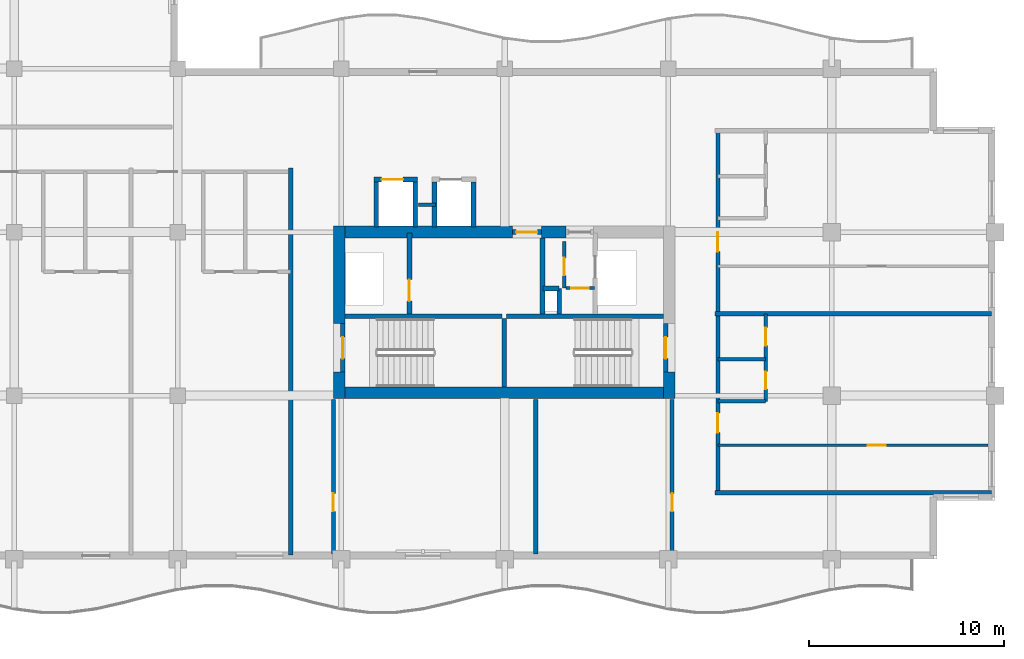
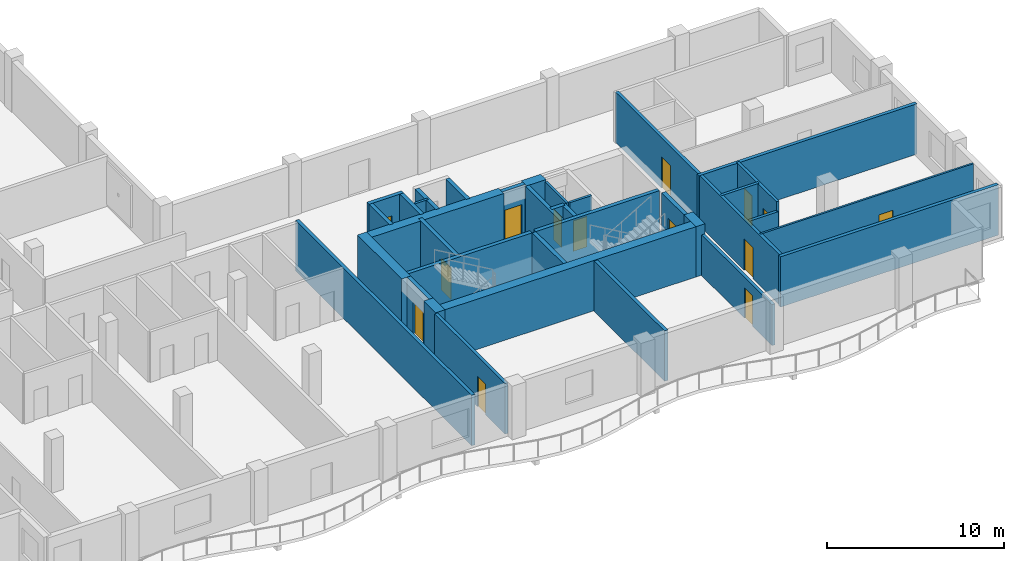
# One storey, part 4 of 12: 35 walls, 14 doors, 14 openings.
"""IFC4 building model written with IfcOpenShell, lengths in metres."""

import ifcopenshell
import ifcopenshell.guid

model = None  # the IFC model being written
_history = None  # IfcOwnerHistory: only IFC2X3 demands one
_inside = {}  # id of a spatial element -> (the spatial element, [elements in it])
_under = {}  # id of a project, library or spatial element -> (it, [spatial elements below it])
_declared = {}  # id of a project -> (the project, [libraries it declares])
_typed = {}  # id of a type object -> (the type object, [elements of that type])
_made_of = {}  # id of a material, layer set ... -> (it, [elements and type objects made of it])


def new_model(schema):
    """Start an empty IFC model of exactly this schema.

    Asked for "IFC4X3", IfcOpenShell would pick the latest addendum, in which some entities
    have other attributes; the version numbers below select the first issue.
    IFC2X3 requires an IfcOwnerHistory on every rooted entity: one is made here for all.
    """
    global model, _history
    if schema == "IFC4X3":
        model = ifcopenshell.file(schema_version=(4, 3, 0, 0))
    else:
        model = ifcopenshell.file(schema=schema)
    _inside.clear()
    _under.clear()
    _declared.clear()
    _typed.clear()
    _made_of.clear()
    _history = None
    if model.schema == "IFC2X3":
        org = make("IfcOrganization", Name="unknown")
        user = make(
            "IfcPersonAndOrganization",
            ThePerson=make("IfcPerson", FamilyName="unknown"),
            TheOrganization=org,
        )
        app = make(
            "IfcApplication",
            ApplicationDeveloper=org,
            Version="unknown",
            ApplicationFullName="unknown",
            ApplicationIdentifier="unknown",
        )
        _history = make(
            "IfcOwnerHistory",
            OwningUser=user,
            OwningApplication=app,
            ChangeAction="ADDED",
            CreationDate=0,
        )
    return model


def make(cls, **values):
    """One entity of the class cls with the attributes given. An attribute that is None is left unset."""
    return model.create_entity(
        cls, **{name: value for name, value in values.items() if value is not None}
    )


def rooted(cls, **values):
    """An entity with a GlobalId (a new one), such as an element, a storey or a relation."""
    return make(cls, GlobalId=ifcopenshell.guid.new(), OwnerHistory=_history, **values)


def si_unit(unit_type, name, prefix=None):
    """IfcSIUnit, for example si_unit("LENGTHUNIT", "METRE", prefix="MILLI")."""
    return make("IfcSIUnit", UnitType=unit_type, Prefix=prefix, Name=name)


def assignment(units):
    """IfcUnitAssignment: the units of a project."""
    return None if units is None else make("IfcUnitAssignment", Units=units)


def point(xyz):
    """IfcCartesianPoint."""
    return None if xyz is None else make("IfcCartesianPoint", Coordinates=xyz)


def direction(xyz):
    """IfcDirection."""
    return None if xyz is None else make("IfcDirection", DirectionRatios=xyz)


def frame(location, z_axis=None, x_axis=None):
    """IfcAxis2Placement3D, a coordinate frame: its origin and axes. An axis left out is left unset."""
    return make(
        "IfcAxis2Placement3D",
        Location=point(location),
        Axis=direction(z_axis),
        RefDirection=direction(x_axis),
    )


def frame_2d(location, x_axis=None):
    """IfcAxis2Placement2D, a coordinate frame in the plane: its origin and x axis."""
    return make(
        "IfcAxis2Placement2D", Location=point(location), RefDirection=direction(x_axis)
    )


def origin():
    """The frame at (0, 0, 0) with its axes left unset."""
    return frame((0.0, 0.0, 0.0))


def place(relative_to, where):
    """IfcLocalPlacement: puts the frame where relative to a parent placement (None: the world)."""
    return make(
        "IfcLocalPlacement", PlacementRelTo=relative_to, RelativePlacement=where
    )


def context(
    kind, dimensions, precision=None, world=None, true_north=None, identifier=None
):
    """IfcGeometricRepresentationContext, for example the 3D "Model" context."""
    return make(
        "IfcGeometricRepresentationContext",
        ContextIdentifier=identifier,
        ContextType=kind,
        CoordinateSpaceDimension=dimensions,
        Precision=precision,
        WorldCoordinateSystem=world,
        TrueNorth=true_north,
    )


def subcontext(parent, identifier, kind, view, scale=None):
    """IfcGeometricRepresentationSubContext, for example "Body" below "Model"."""
    return make(
        "IfcGeometricRepresentationSubContext",
        ContextIdentifier=identifier,
        ContextType=kind,
        ParentContext=parent,
        TargetScale=scale,
        TargetView=view,
    )


def project(units=None, contexts=None):
    """IfcProject with its units and contexts."""
    return rooted(
        "IfcProject",
        Name="project",
        RepresentationContexts=contexts,
        UnitsInContext=assignment(units),
    )


def spatial(cls, under=None, at=None, **own):
    """A site, building, storey or space (cls), placed at a placement, below another one or the project."""
    s = rooted(cls, ObjectPlacement=at, **own)
    if under is not None:
        _under.setdefault(under.id(), (under, []))[1].append(s)
    return s


def profile(cls, at=None, kind="AREA", **sizes):
    """A parametric profile (cls). Its sizes go by their IFC names, for example OverallWidth=200.0."""
    return make(cls, ProfileType=kind, Position=at, **sizes)


def rectangle(**sizes):
    """IfcRectangleProfileDef."""
    return profile("IfcRectangleProfileDef", **sizes)


def extrude(swept, where, along, depth):
    """IfcExtrudedAreaSolid: the profile swept, set in the frame where, extruded along a direction by depth."""
    return make(
        "IfcExtrudedAreaSolid",
        SweptArea=swept,
        Position=where,
        ExtrudedDirection=direction(along),
        Depth=depth,
    )


def shape(context_of_items, identifier, shape_type, items):
    """IfcShapeRepresentation: the items that make up one representation, for example the "Body"."""
    return make(
        "IfcShapeRepresentation",
        ContextOfItems=context_of_items,
        RepresentationIdentifier=identifier,
        RepresentationType=shape_type,
        Items=items,
    )


def material(Name=None, Category=None):
    """IfcMaterial."""
    return make("IfcMaterial", Name=Name, Category=Category)


def layer(
    of_material, thickness, ventilated=None, Name=None, Category=None, Priority=None
):
    """IfcMaterialLayer: one layer of a wall or slab, of a material (None: an air gap)."""
    return make(
        "IfcMaterialLayer",
        Material=of_material,
        LayerThickness=thickness,
        IsVentilated=ventilated,
        Name=Name,
        Category=Category,
        Priority=Priority,
    )


def layer_set(layers, Name=None):
    """IfcMaterialLayerSet."""
    return make("IfcMaterialLayerSet", MaterialLayers=layers, LayerSetName=Name)


def made_of(thing, what):
    """Note that an element or type object is made of a material, layer set ...; save() writes the relation."""
    if what is not None:
        _made_of.setdefault(what.id(), (what, []))[1].append(thing)
    return thing


def type_object(cls, material=None, **own):
    """A type object (cls), such as IfcWallType, which elements share."""
    return made_of(rooted(cls, **own), material)


def element(
    cls,
    number,
    at=None,
    inside=None,
    cuts=None,
    type_object=None,
    material=None,
    context=None,
    identifier="Body",
    shape_type=None,
    held_by="IfcProductDefinitionShape",
    body=None,
    shapes=None,
    **own,
):
    """One element of the class cls, such as IfcWall. Its Tag is "e" and its number.

    at: its placement. inside: the storey or other place that contains it. cuts: it is an
    opening in that element (IfcRelVoidsElement). A single representation is given by context,
    identifier, shape_type and body (its items); several are given by shapes. held_by: the class
    of the entity that holds the representations. save() writes the other relations.
    """
    e = rooted(cls, Tag="e%d" % number, ObjectPlacement=at, **own)
    if body is not None:
        shapes = [shape(context, identifier, shape_type, body)]
    if shapes is not None:
        e.Representation = make(held_by, Representations=shapes)
    if inside is not None:
        _inside.setdefault(inside.id(), (inside, []))[1].append(e)
    if cuts is not None:
        rooted(
            "IfcRelVoidsElement", RelatingBuildingElement=cuts, RelatedOpeningElement=e
        )
    if type_object is not None:
        _typed.setdefault(type_object.id(), (type_object, []))[1].append(e)
    return made_of(e, material)


def fill(opening, filler):
    """IfcRelFillsElement: the door or window that sits in an opening."""
    return rooted(
        "IfcRelFillsElement",
        RelatingOpeningElement=opening,
        RelatedBuildingElement=filler,
    )


def aggregate(whole, parts):
    """IfcRelAggregates: a whole, such as a stair, and the parts it consists of."""
    return rooted("IfcRelAggregates", RelatingObject=whole, RelatedObjects=parts)


def save(model, path):
    """Write the relations noted so far, then the file.

    IfcRelAggregates (storeys below a building ...), IfcRelContainedInSpatialStructure (elements
    in a storey), IfcRelDefinesByType, IfcRelAssociatesMaterial and IfcRelDeclares: one each for
    every whole, place, type object, material and project.
    """
    for whole, parts in _under.values():
        aggregate(whole, parts)
    for where, things in _inside.values():
        rooted(
            "IfcRelContainedInSpatialStructure",
            RelatedElements=things,
            RelatingStructure=where,
        )
    for kind, things in _typed.values():
        rooted("IfcRelDefinesByType", RelatedObjects=things, RelatingType=kind)
    for what, things in _made_of.values():
        rooted("IfcRelAssociatesMaterial", RelatedObjects=things, RelatingMaterial=what)
    for by, libraries in _declared.values():
        rooted("IfcRelDeclares", RelatingContext=by, RelatedDefinitions=libraries)
    model.write(path)


model = new_model("IFC4")

# Units and contexts
model_context = context("Model", 3, precision=1e-05, world=origin(), true_north=direction((0.0, 1.0)))
body_context = subcontext(model_context, "Body", "Model", "MODEL_VIEW")
ifc_project = project(units=[si_unit("LENGTHUNIT", "METRE"), si_unit("AREAUNIT", "SQUARE_METRE"), si_unit("VOLUMEUNIT", "CUBIC_METRE"), si_unit("PLANEANGLEUNIT", "RADIAN"), si_unit("MASSUNIT", "GRAM", prefix="KILO")], contexts=[model_context])

# Site, building, storey
site_placement = place(None, origin())
site = spatial("IfcSite", under=ifc_project, at=site_placement, CompositionType="ELEMENT")
building_placement = place(site_placement, origin())
building = spatial("IfcBuilding", under=site, at=building_placement, Name="Koriwani Terraces Tower", CompositionType="ELEMENT")
storey_placement = place(building_placement, frame((0.0, 0.0, 249.0)))
storey = spatial("IfcBuildingStorey", under=building, at=storey_placement, Name="L61", CompositionType="ELEMENT", Elevation=249.0)

# Walls
ifc_material_1 = material(Name="Concrete C60/75", Category="concrete")
ifc_layer_1 = layer(ifc_material_1, 0.60009765625, Name="Concrete C60/75")
ifc_layer_set_1 = layer_set([ifc_layer_1], Name="Concrete C60/75")
wall_type_1 = type_object("IfcWallType", Name="WALL_CORE_RC_600", PredefinedType="SHEAR", material=ifc_layer_set_1)
wall_1_placement = place(storey_placement, frame((41.89990234375, 16.64990234375, 0.0), z_axis=(0.0, 0.0, 1.0), x_axis=(0.0, 1.0, 0.0)))
element("IfcWall", 1, at=wall_1_placement, inside=storey, type_object=wall_type_1, Name="L61 East Split Core Shear Wall W1", PredefinedType="SHEAR", context=body_context, shape_type="SweptSolid", body=[
    extrude(rectangle(XDim=1.35009765625, YDim=0.60009765625, at=frame_2d((0.675048828125, 0.0))), origin(), (0.0, 0.0, 1.0), 3.469970703125),
])
wall_2_placement = place(storey_placement, frame((41.89990234375, 20.5, 0.0), z_axis=(0.0, 0.0, 1.0), x_axis=(0.0, 1.0, 0.0)))
element("IfcWall", 2, at=wall_2_placement, inside=storey, type_object=wall_type_1, Name="L61 East Split Core Shear Wall W2", PredefinedType="SHEAR", context=body_context, shape_type="SweptSolid", body=[
    extrude(rectangle(XDim=5.0, YDim=0.60009765625, at=frame_2d((2.5, 0.0))), origin(), (0.0, 0.0, 1.0), 3.469970703125),
])
wall_3_placement = place(storey_placement, frame((58.85009765625, 16.64990234375, 0.0), z_axis=(0.0, 0.0, 1.0), x_axis=(0.0, 1.0, 0.0)))
element("IfcWall", 3, at=wall_3_placement, inside=storey, type_object=wall_type_1, Name="L61 East Split Core Shear Wall E1", PredefinedType="SHEAR", context=body_context, shape_type="SweptSolid", body=[
    extrude(rectangle(XDim=1.35009765625, YDim=0.60009765625, at=frame_2d((0.675048828125, 0.0))), origin(), (0.0, 0.0, 1.0), 3.469970703125),
])
wall_4_placement = place(storey_placement, frame((42.199951171875, 16.949951171875, 0.0), z_axis=(0.0, 0.0, 1.0), x_axis=(1.0, 0.0, 0.0)))
element("IfcWall", 4, at=wall_4_placement, inside=storey, type_object=wall_type_1, Name="L61 East Split Core Shear Wall S1", PredefinedType="SHEAR", context=body_context, shape_type="SweptSolid", body=[
    extrude(rectangle(XDim=16.35009765625, YDim=0.60009765625, at=frame_2d((8.175048828125, 0.0))), origin(), (0.0, 0.0, 1.0), 3.469970703125),
])
wall_5_placement = place(storey_placement, frame((42.199951171875, 25.199951171875, 0.0), z_axis=(0.0, 0.0, 1.0), x_axis=(1.0, 0.0, 0.0)))
element("IfcWall", 5, at=wall_5_placement, inside=storey, type_object=wall_type_1, Name="L61 East Split Core Shear Wall N1", PredefinedType="SHEAR", context=body_context, shape_type="SweptSolid", body=[
    extrude(rectangle(XDim=8.60009765625, YDim=0.60009765625, at=frame_2d((4.300048828125, 0.0))), origin(), (0.0, 0.0, 1.0), 3.469970703125),
])
wall_6_placement = place(storey_placement, frame((52.280029296875, 25.199951171875, 0.0), z_axis=(0.0, 0.0, 1.0), x_axis=(1.0, 0.0, 0.0)))
element("IfcWall", 6, at=wall_6_placement, inside=storey, type_object=wall_type_1, Name="L61 East Split Core Shear Wall N2", PredefinedType="SHEAR", context=body_context, shape_type="SweptSolid", body=[
    extrude(rectangle(XDim=1.27001953125, YDim=0.60009765625, at=frame_2d((0.635009765625, 0.0))), origin(), (0.0, 0.0, 1.0), 3.469970703125),
])

# Wall, opening, door
ifc_material_2 = material(Name="Autoclaved Cellular Concrete Blockwork", Category="masonry")
ifc_layer_2 = layer(ifc_material_2, 0.199951171875, Name="Autoclaved Cellular Concrete Blockwork")
ifc_layer_set_2 = layer_set([ifc_layer_2], Name="Autoclaved Cellular Concrete Blockwork")
wall_type_2 = type_object("IfcWallType", Name="WALL_CORRIDOR_200", PredefinedType="PARTITIONING", material=ifc_layer_set_2)
wall_7_placement = place(storey_placement, frame((41.60009765625, 8.64990234375, 0.0), z_axis=(0.0, 0.0, 1.0), x_axis=(0.0, 1.0, 0.0)))
wall_7 = element("IfcWall", 7, at=wall_7_placement, inside=storey, type_object=wall_type_2, Name="L61 Interior Wall WRZ4-EW-L61", PredefinedType="PARTITIONING", context=body_context, shape_type="SweptSolid", body=[
    extrude(rectangle(XDim=7.9501953125, YDim=0.199951171875, at=frame_2d((3.97509765625, 0.0))), origin(), (0.0, 0.0, 1.0), 3.469970703125),
])
opening_1_placement = place(wall_7_placement, frame((2.199951171875, 0.0, 0.0)))
opening_1 = element("IfcOpeningElement", 8, at=opening_1_placement, cuts=wall_7, Name="Opening D-06", PredefinedType="OPENING", context=body_context, shape_type="SweptSolid", body=[
    extrude(rectangle(XDim=0.919921875, YDim=2.10009765625, at=frame_2d((0.4599609375, 1.050048828125))), frame((0.0, 0.10986328125, 0.0), z_axis=(0.0, -1.0, 0.0), x_axis=(1.0, 0.0, 0.0)), (0.0, 0.0, 1.0), 0.219970703125),
])
ifc_material_3 = material(Name="Architectural Oak Fire Door", Category="wood")
door_type_1 = type_object("IfcDoorType", Name="DOOR_ROOM_INT_920X2100", OperationType="NOTDEFINED", PredefinedType="DOOR", material=ifc_material_3)
door_1_placement = place(opening_1_placement, origin())
door_1 = element("IfcDoor", 9, at=door_1_placement, inside=storey, type_object=door_type_1, Name="L61 Resident Library Study Door", OperationType="SINGLE_SWING_RIGHT", OverallHeight=2.10009765625, OverallWidth=0.919921875, PredefinedType="DOOR", context=body_context, shape_type="SweptSolid", body=[
    extrude(rectangle(XDim=0.919921875, YDim=2.10009765625, at=frame_2d((0.4599609375, 1.050048828125))), frame((0.0, 0.02490234375, 0.0), z_axis=(0.0, -1.0, 0.0), x_axis=(1.0, 0.0, 0.0)), (0.0, 0.0, 1.0), 0.050048828125),
])
fill(opening_1, door_1)

wall_8_placement = place(storey_placement, frame((59.0, 8.64990234375, 0.0), z_axis=(0.0, 0.0, 1.0), x_axis=(0.0, 1.0, 0.0)))
wall_8 = element("IfcWall", 10, at=wall_8_placement, inside=storey, type_object=wall_type_2, Name="L61 Interior Wall WRZ4-EE-L61", PredefinedType="PARTITIONING", context=body_context, shape_type="SweptSolid", body=[
    extrude(rectangle(XDim=7.9501953125, YDim=0.199951171875, at=frame_2d((3.97509765625, 0.0))), origin(), (0.0, 0.0, 1.0), 2.820068359375),
])
opening_2_placement = place(wall_8_placement, frame((2.199951171875, 0.0, 0.0)))
opening_2 = element("IfcOpeningElement", 11, at=opening_2_placement, cuts=wall_8, Name="Opening D-06", PredefinedType="OPENING", context=body_context, shape_type="SweptSolid", body=[
    extrude(rectangle(XDim=0.919921875, YDim=2.10009765625, at=frame_2d((0.4599609375, 1.050048828125))), frame((0.0, 0.10986328125, 0.0), z_axis=(0.0, -1.0, 0.0), x_axis=(1.0, 0.0, 0.0)), (0.0, 0.0, 1.0), 0.219970703125),
])
door_2_placement = place(opening_2_placement, origin())
door_2 = element("IfcDoor", 12, at=door_2_placement, inside=storey, type_object=door_type_1, Name="L61 Resident Laundry Room Door", OperationType="SINGLE_SWING_LEFT", OverallHeight=2.10009765625, OverallWidth=0.919921875, PredefinedType="DOOR", context=body_context, shape_type="SweptSolid", body=[
    extrude(rectangle(XDim=0.919921875, YDim=2.10009765625, at=frame_2d((0.4599609375, 1.050048828125))), frame((0.0, 0.02490234375, 0.0), z_axis=(0.0, -1.0, 0.0), x_axis=(1.0, 0.0, 0.0)), (0.0, 0.0, 1.0), 0.050048828125),
])
fill(opening_2, door_2)

# Wall, openings, doors
wall_9_placement = place(storey_placement, frame((61.35009765625, 11.800048828125, 0.0), z_axis=(0.0, 0.0, 1.0), x_axis=(0.0, 1.0, 0.0)))
wall_9 = element("IfcWall", 13, at=wall_9_placement, inside=storey, type_object=wall_type_2, Name="L61 Interior Wall WRCOR-L61-ETE-0", PredefinedType="PARTITIONING", context=body_context, shape_type="SweptSolid", body=[
    extrude(rectangle(XDim=18.599853515625, YDim=0.199951171875, at=frame_2d((9.2998046875, 0.0))), origin(), (0.0, 0.0, 1.0), 3.469970703125),
])
opening_3_placement = place(wall_9_placement, frame((3.094970703125, 0.0, 0.0)))
opening_3 = element("IfcOpeningElement", 14, at=opening_3_placement, cuts=wall_9, Name="Opening D-05", PredefinedType="OPENING", context=body_context, shape_type="SweptSolid", body=[
    extrude(rectangle(XDim=1.0, YDim=2.14990234375, at=frame_2d((0.5, 1.074951171875))), frame((0.0, 0.10986328125, 0.0), z_axis=(0.0, -1.0, 0.0), x_axis=(1.0, 0.0, 0.0)), (0.0, 0.0, 1.0), 0.219970703125),
])
opening_4_placement = place(wall_9_placement, frame((12.39501953125, 0.0, 0.0)))
opening_4 = element("IfcOpeningElement", 15, at=opening_4_placement, cuts=wall_9, Name="Opening D-05", PredefinedType="OPENING", context=body_context, shape_type="SweptSolid", body=[
    extrude(rectangle(XDim=1.0, YDim=2.14990234375, at=frame_2d((0.5, 1.074951171875))), frame((0.0, 0.10986328125, 0.0), z_axis=(0.0, -1.0, 0.0), x_axis=(1.0, 0.0, 0.0)), (0.0, 0.0, 1.0), 0.219970703125),
])
door_type_2 = type_object("IfcDoorType", Name="DOOR_SUITE_ENTRY_1000X2150", OperationType="NOTDEFINED", PredefinedType="DOOR", material=ifc_material_3)
door_3_placement = place(opening_3_placement, origin())
door_3 = element("IfcDoor", 16, at=door_3_placement, inside=storey, type_object=door_type_2, Name="Apartment 61ETE1 Entrance Door", OperationType="SINGLE_SWING_RIGHT", OverallHeight=2.14990234375, OverallWidth=1.0, PredefinedType="DOOR", context=body_context, shape_type="SweptSolid", body=[
    extrude(rectangle(XDim=1.0, YDim=2.14990234375, at=frame_2d((0.5, 1.074951171875))), frame((0.0, 0.02490234375, 0.0), z_axis=(0.0, -1.0, 0.0), x_axis=(1.0, 0.0, 0.0)), (0.0, 0.0, 1.0), 0.050048828125),
])
fill(opening_3, door_3)
door_4_placement = place(opening_4_placement, origin())
door_4 = element("IfcDoor", 17, at=door_4_placement, inside=storey, type_object=door_type_2, Name="Apartment 61ETE2 Entrance Door", OperationType="SINGLE_SWING_RIGHT", OverallHeight=2.14990234375, OverallWidth=1.0, PredefinedType="DOOR", context=body_context, shape_type="SweptSolid", body=[
    extrude(rectangle(XDim=1.0, YDim=2.14990234375, at=frame_2d((0.5, 1.074951171875))), frame((0.0, 0.02490234375, 0.0), z_axis=(0.0, -1.0, 0.0), x_axis=(1.0, 0.0, 0.0)), (0.0, 0.0, 1.0), 0.050048828125),
])
fill(opening_4, door_4)

# Walls
ifc_layer_3 = layer(ifc_material_2, 0.219970703125, Name="Autoclaved Cellular Concrete Blockwork")
ifc_layer_set_3 = layer_set([ifc_layer_3], Name="Autoclaved Cellular Concrete Blockwork")
wall_type_3 = type_object("IfcWallType", Name="WALL_DEMISING_220", PredefinedType="PARTITIONING", material=ifc_layer_set_3)
wall_10_placement = place(storey_placement, frame((52.0, 8.64990234375, 0.0), z_axis=(0.0, 0.0, 1.0), x_axis=(0.0, 1.0, 0.0)))
element("IfcWall", 18, at=wall_10_placement, inside=storey, type_object=wall_type_3, Name="L61 Interior Wall WRZ4-EM-L61", PredefinedType="PARTITIONING", context=body_context, shape_type="SweptSolid", body=[
    extrude(rectangle(XDim=7.9501953125, YDim=0.219970703125, at=frame_2d((3.97509765625, 0.0))), origin(), (0.0, 0.0, 1.0), 3.469970703125),
])
wall_11_placement = place(storey_placement, frame((39.39990234375, 8.60009765625, 0.0), z_axis=(0.0, 0.0, 1.0), x_axis=(0.0, 1.0, 0.0)))
element("IfcWall", 19, at=wall_11_placement, inside=storey, type_object=wall_type_3, Name="L61 Interior Wall WRDEME-L61-SW", PredefinedType="PARTITIONING", context=body_context, shape_type="SweptSolid", body=[
    extrude(rectangle(XDim=19.8798828125, YDim=0.219970703125, at=frame_2d((9.93994140625, 0.0))), origin(), (0.0, 0.0, 1.0), 3.469970703125),
])
for number, where, z_axis, x_axis, name in (
    (20, (61.199951171875, 11.800048828125, 0.0), (0.0, 0.0, 1.0), (1.0, 0.0, 0.0), "L61 Interior Wall WRDEM-L61-ETE-0"),
    (21, (61.199951171875, 21.0, 0.0), (0.0, 0.0, 1.0), (1.0, 0.0, 0.0), "L61 Interior Wall WRDEM-L61-ETE-1"),
):
    element("IfcWall", number, at=place(storey_placement, frame(where, z_axis=z_axis, x_axis=x_axis)), inside=storey, type_object=wall_type_3, Name=name, PredefinedType="PARTITIONING", context=body_context, shape_type="SweptSolid", body=[
        extrude(rectangle(XDim=14.199951171875, YDim=0.219970703125, at=frame_2d((7.10009765625, 0.0))), origin(), (0.0, 0.0, 1.0), 3.469970703125),
    ])

# Wall, opening, door
ifc_material_4 = material(Name="Fire-Rated Acoustic Gypsum Partition", Category="masonry")
ifc_layer_4 = layer(ifc_material_4, 0.125, Name="Fire-Rated Acoustic Gypsum Partition")
ifc_layer_set_4 = layer_set([ifc_layer_4], Name="Fire-Rated Acoustic Gypsum Partition")
wall_type_4 = type_object("IfcWallType", Name="WALL_INT_125", PredefinedType="PARTITIONING", material=ifc_layer_set_4)
wall_12_placement = place(storey_placement, frame((61.35009765625, 14.25, 0.0), z_axis=(0.0, 0.0, 1.0), x_axis=(1.0, 0.0, 0.0)))
wall_12 = element("IfcWall", 22, at=wall_12_placement, inside=storey, type_object=wall_type_4, Name="L61 Interior Wall WRBED1-L61-ETE-0", PredefinedType="PARTITIONING", context=body_context, shape_type="SweptSolid", body=[
    extrude(rectangle(XDim=13.869873046875, YDim=0.125, at=frame_2d((6.93505859375, 0.0))), origin(), (0.0, 0.0, 1.0), 3.469970703125),
])
opening_5_placement = place(wall_12_placement, frame((7.699951171875, 0.0, 0.0)))
opening_5 = element("IfcOpeningElement", 23, at=opening_5_placement, cuts=wall_12, Name="Opening D-06", PredefinedType="OPENING", context=body_context, shape_type="SweptSolid", body=[
    extrude(rectangle(XDim=0.919921875, YDim=2.10009765625, at=frame_2d((0.4599609375, 1.050048828125))), frame((0.0, 0.072509765625, 0.0), z_axis=(0.0, -1.0, 0.0), x_axis=(1.0, 0.0, 0.0)), (0.0, 0.0, 1.0), 0.14501953125),
])
door_5_placement = place(opening_5_placement, origin())
door_5 = element("IfcDoor", 24, at=door_5_placement, inside=storey, type_object=door_type_1, Name="Apartment 61ETE1 Master Bedroom Door", OperationType="SINGLE_SWING_LEFT", OverallHeight=2.10009765625, OverallWidth=0.919921875, PredefinedType="DOOR", context=body_context, shape_type="SweptSolid", body=[
    extrude(rectangle(XDim=0.919921875, YDim=2.10009765625, at=frame_2d((0.4599609375, 1.050048828125))), frame((0.0, 0.02490234375, 0.0), z_axis=(0.0, -1.0, 0.0), x_axis=(1.0, 0.0, 0.0)), (0.0, 0.0, 1.0), 0.050048828125),
])
fill(opening_5, door_5)

# Wall, openings, doors
ifc_layer_5 = layer(ifc_material_4, 0.179931640625, Name="Fire-Rated Acoustic Gypsum Partition")
ifc_layer_set_5 = layer_set([ifc_layer_5], Name="Fire-Rated Acoustic Gypsum Partition")
wall_type_5 = type_object("IfcWallType", Name="WALL_PLUMBING_180", PredefinedType="PLUMBINGWALL", material=ifc_layer_set_5)
wall_13_placement = place(storey_placement, frame((63.800048828125, 16.5, 0.0), z_axis=(0.0, 0.0, 1.0), x_axis=(0.0, 1.0, 0.0)))
wall_13 = element("IfcWall", 25, at=wall_13_placement, inside=storey, type_object=wall_type_5, Name="L61 Interior Wall WRSVC-L61-ETE-0", PredefinedType="PLUMBINGWALL", context=body_context, shape_type="SweptSolid", body=[
    extrude(rectangle(XDim=4.5, YDim=0.179931640625, at=frame_2d((2.25, 0.0))), origin(), (0.0, 0.0, 1.0), 3.469970703125),
])
opening_6_placement = place(wall_13_placement, frame((0.6298828125, 0.0, 0.0)))
opening_6 = element("IfcOpeningElement", 26, at=opening_6_placement, cuts=wall_13, Name="Opening D-07", PredefinedType="OPENING", context=body_context, shape_type="SweptSolid", body=[
    extrude(rectangle(XDim=0.89990234375, YDim=2.10009765625, at=frame_2d((0.449951171875, 1.050048828125))), frame((0.0, 0.10009765625, 0.0), z_axis=(0.0, -1.0, 0.0), x_axis=(1.0, 0.0, 0.0)), (0.0, 0.0, 1.0), 0.199951171875),
])
opening_7_placement = place(wall_13_placement, frame((2.8701171875, 0.0, 0.0)))
opening_7 = element("IfcOpeningElement", 27, at=opening_7_placement, cuts=wall_13, Name="Opening D-06", PredefinedType="OPENING", context=body_context, shape_type="SweptSolid", body=[
    extrude(rectangle(XDim=0.919921875, YDim=2.10009765625, at=frame_2d((0.4599609375, 1.050048828125))), frame((0.0, 0.10009765625, 0.0), z_axis=(0.0, -1.0, 0.0), x_axis=(1.0, 0.0, 0.0)), (0.0, 0.0, 1.0), 0.199951171875),
])
door_type_3 = type_object("IfcDoorType", Name="DOOR_BATH_INT_900X2100", OperationType="NOTDEFINED", PredefinedType="DOOR", material=ifc_material_3)
door_6_placement = place(opening_6_placement, origin())
door_6 = element("IfcDoor", 28, at=door_6_placement, inside=storey, type_object=door_type_3, Name="Apartment 61ETE1 Bathroom Door", OperationType="SINGLE_SWING_LEFT", OverallHeight=2.10009765625, OverallWidth=0.89990234375, PredefinedType="DOOR", context=body_context, shape_type="SweptSolid", body=[
    extrude(rectangle(XDim=0.89990234375, YDim=2.10009765625, at=frame_2d((0.449951171875, 1.050048828125))), frame((0.0, 0.02490234375, 0.0), z_axis=(0.0, -1.0, 0.0), x_axis=(1.0, 0.0, 0.0)), (0.0, 0.0, 1.0), 0.050048828125),
])
fill(opening_6, door_6)
door_7_placement = place(opening_7_placement, origin())
door_7 = element("IfcDoor", 29, at=door_7_placement, inside=storey, type_object=door_type_1, Name="Apartment 61ETE1 Kitchen Door", OperationType="SINGLE_SWING_RIGHT", OverallHeight=2.10009765625, OverallWidth=0.919921875, PredefinedType="DOOR", context=body_context, shape_type="SweptSolid", body=[
    extrude(rectangle(XDim=0.919921875, YDim=2.10009765625, at=frame_2d((0.4599609375, 1.050048828125))), frame((0.0, 0.02490234375, 0.0), z_axis=(0.0, -1.0, 0.0), x_axis=(1.0, 0.0, 0.0)), (0.0, 0.0, 1.0), 0.050048828125),
])
fill(opening_7, door_7)

# Walls
wall_14_placement = place(storey_placement, frame((61.35009765625, 16.5, 0.0), z_axis=(0.0, 0.0, 1.0), x_axis=(1.0, 0.0, 0.0)))
element("IfcWall", 30, at=wall_14_placement, inside=storey, type_object=wall_type_5, Name="L61 Interior Wall WRSVCS-L61-ETE-0", PredefinedType="PLUMBINGWALL", context=body_context, shape_type="SweptSolid", body=[
    extrude(rectangle(XDim=2.449951171875, YDim=0.179931640625, at=frame_2d((1.22509765625, 0.0))), origin(), (0.0, 0.0, 1.0), 2.820068359375),
])
wall_15_placement = place(storey_placement, frame((61.35009765625, 18.659912109375, 0.0), z_axis=(0.0, 0.0, 1.0), x_axis=(1.0, 0.0, 0.0)))
element("IfcWall", 31, at=wall_15_placement, inside=storey, type_object=wall_type_5, Name="L61 Interior Wall WRSVCM-L61-ETE-0", PredefinedType="PLUMBINGWALL", context=body_context, shape_type="SweptSolid", body=[
    extrude(rectangle(XDim=2.449951171875, YDim=0.179931640625, at=frame_2d((1.22509765625, 0.0))), origin(), (0.0, 0.0, 1.0), 3.469970703125),
])
ifc_material_5 = material(Name="Concrete C40/50", Category="concrete")
ifc_layer_6 = layer(ifc_material_5, 0.25, Name="Concrete C40/50")
ifc_layer_set_6 = layer_set([ifc_layer_6], Name="Concrete C40/50")
wall_type_6 = type_object("IfcWallType", Name="WALL_SHAFT_RATED_250", PredefinedType="SOLIDWALL", material=ifc_layer_set_6)
for number, where, z_axis, x_axis, name in (
    (32, (42.199951171875, 20.875, 0.0), (0.0, 0.0, 1.0), (1.0, 0.0, 0.0), "L61 East Split Core Web Wall MID1"),
    (33, (50.5, 20.875, 0.0), (0.0, 0.0, 1.0), (1.0, 0.0, 0.0), "L61 East Split Core Web Wall MID2"),
):
    element("IfcWall", number, at=place(storey_placement, frame(where, z_axis=z_axis, x_axis=x_axis)), inside=storey, type_object=wall_type_6, Name=name, PredefinedType="SOLIDWALL", context=body_context, shape_type="SweptSolid", body=[
        extrude(rectangle(XDim=8.050048828125, YDim=0.25, at=frame_2d((4.02490234375, 0.0))), origin(), (0.0, 0.0, 1.0), 3.469970703125),
    ])
wall_16_placement = place(storey_placement, frame((50.375, 17.25, 0.0), z_axis=(0.0, 0.0, 1.0), x_axis=(0.0, 1.0, 0.0)))
element("IfcWall", 34, at=wall_16_placement, inside=storey, type_object=wall_type_6, Name="L61 East Split Core Stair Dividing Wall", PredefinedType="SOLIDWALL", context=body_context, shape_type="SweptSolid", body=[
    extrude(rectangle(XDim=3.5, YDim=0.25, at=frame_2d((1.75, 0.0))), origin(), (0.0, 0.0, 1.0), 3.469970703125),
])

# Wall, opening, door
wall_17_placement = place(storey_placement, frame((42.074951171875, 18.0, 0.0), z_axis=(0.0, 0.0, 1.0), x_axis=(0.0, 1.0, 0.0)))
wall_17 = element("IfcWall", 35, at=wall_17_placement, inside=storey, type_object=wall_type_6, Name="L61 Interior Wall WIN-CE-L61-STW", PredefinedType="SOLIDWALL", context=body_context, shape_type="SweptSolid", body=[
    extrude(rectangle(XDim=2.5, YDim=0.25, at=frame_2d((1.25, 0.0))), origin(), (0.0, 0.0, 1.0), 3.469970703125),
])
opening_8_placement = place(wall_17_placement, frame((0.699951171875, 0.0, 0.0)))
opening_8 = element("IfcOpeningElement", 36, at=opening_8_placement, cuts=wall_17, Name="Opening D-03", PredefinedType="OPENING", context=body_context, shape_type="SweptSolid", body=[
    extrude(rectangle(XDim=1.10009765625, YDim=2.14990234375, at=frame_2d((0.550048828125, 1.074951171875))), frame((0.0, 0.135009765625, 0.0), z_axis=(0.0, -1.0, 0.0), x_axis=(1.0, 0.0, 0.0)), (0.0, 0.0, 1.0), 0.27001953125),
])
ifc_material_6 = material(Name="Steel ASTM A572 Grade 50", Category="steel")
door_type_4 = type_object("IfcDoorType", Name="DOOR_STAIR_FIRE_1100X2150", OperationType="NOTDEFINED", PredefinedType="DOOR", material=ifc_material_6)
door_8_placement = place(opening_8_placement, origin())
door_8 = element("IfcDoor", 37, at=door_8_placement, inside=storey, type_object=door_type_4, Name="L61 Exit Stair ST-E1 Door", OperationType="SINGLE_SWING_LEFT", OverallHeight=2.14990234375, OverallWidth=1.10009765625, PredefinedType="DOOR", context=body_context, shape_type="SweptSolid", body=[
    extrude(rectangle(XDim=1.10009765625, YDim=2.14990234375, at=frame_2d((0.550048828125, 1.074951171875))), frame((0.0, 0.02490234375, 0.0), z_axis=(0.0, -1.0, 0.0), x_axis=(1.0, 0.0, 0.0)), (0.0, 0.0, 1.0), 0.050048828125),
])
fill(opening_8, door_8)

wall_18_placement = place(storey_placement, frame((58.675048828125, 18.0, 0.0), z_axis=(0.0, 0.0, 1.0), x_axis=(0.0, 1.0, 0.0)))
wall_18 = element("IfcWall", 38, at=wall_18_placement, inside=storey, type_object=wall_type_6, Name="L61 Interior Wall WIN-CE-L61-STE", PredefinedType="SOLIDWALL", context=body_context, shape_type="SweptSolid", body=[
    extrude(rectangle(XDim=2.5, YDim=0.25, at=frame_2d((1.25, 0.0))), origin(), (0.0, 0.0, 1.0), 3.469970703125),
])
opening_9_placement = place(wall_18_placement, frame((0.699951171875, 0.0, 0.0)))
opening_9 = element("IfcOpeningElement", 39, at=opening_9_placement, cuts=wall_18, Name="Opening D-03", PredefinedType="OPENING", context=body_context, shape_type="SweptSolid", body=[
    extrude(rectangle(XDim=1.10009765625, YDim=2.14990234375, at=frame_2d((0.550048828125, 1.074951171875))), frame((0.0, 0.135009765625, 0.0), z_axis=(0.0, -1.0, 0.0), x_axis=(1.0, 0.0, 0.0)), (0.0, 0.0, 1.0), 0.27001953125),
])
door_9_placement = place(opening_9_placement, origin())
door_9 = element("IfcDoor", 40, at=door_9_placement, inside=storey, type_object=door_type_4, Name="L61 Exit Stair ST-E2 Door", OperationType="SINGLE_SWING_RIGHT", OverallHeight=2.14990234375, OverallWidth=1.10009765625, PredefinedType="DOOR", context=body_context, shape_type="SweptSolid", body=[
    extrude(rectangle(XDim=1.10009765625, YDim=2.14990234375, at=frame_2d((0.550048828125, 1.074951171875))), frame((0.0, 0.02490234375, 0.0), z_axis=(0.0, -1.0, 0.0), x_axis=(1.0, 0.0, 0.0)), (0.0, 0.0, 1.0), 0.050048828125),
])
fill(opening_9, door_9)

wall_19_placement = place(storey_placement, frame((45.5, 21.0, 0.0), z_axis=(0.0, 0.0, 1.0), x_axis=(0.0, 1.0, 0.0)))
wall_19 = element("IfcWall", 41, at=wall_19_placement, inside=storey, type_object=wall_type_6, Name="L61 Interior Wall WIN-CE-L61-FE", PredefinedType="SOLIDWALL", context=body_context, shape_type="SweptSolid", body=[
    extrude(rectangle(XDim=4.14990234375, YDim=0.25, at=frame_2d((2.074951171875, 0.0))), origin(), (0.0, 0.0, 1.0), 3.469970703125),
])
opening_10_placement = place(wall_19_placement, frame((0.64990234375, 0.0, 0.0)))
opening_10 = element("IfcOpeningElement", 42, at=opening_10_placement, cuts=wall_19, Name="Opening LD-01", PredefinedType="OPENING", context=body_context, shape_type="SweptSolid", body=[
    extrude(rectangle(XDim=1.10009765625, YDim=2.14990234375, at=frame_2d((0.550048828125, 1.074951171875))), frame((0.0, 0.135009765625, 0.0), z_axis=(0.0, -1.0, 0.0), x_axis=(1.0, 0.0, 0.0)), (0.0, 0.0, 1.0), 0.27001953125),
])
door_type_5 = type_object("IfcDoorType", Name="DOOR_LIFT_LANDING_1100X2200", OperationType="NOTDEFINED", PredefinedType="DOOR", material=ifc_material_6)
door_10_placement = place(opening_10_placement, origin())
door_10 = element("IfcDoor", 43, at=door_10_placement, inside=storey, type_object=door_type_5, Name="L61 Firefighting Lift FE-02 Landing Door", OperationType="SLIDING_TO_LEFT", OverallHeight=2.14990234375, OverallWidth=1.10009765625, PredefinedType="DOOR", context=body_context, shape_type="SweptSolid", body=[
    extrude(rectangle(XDim=1.10009765625, YDim=2.14990234375, at=frame_2d((0.550048828125, 1.074951171875))), frame((0.0, 0.02490234375, 0.0), z_axis=(0.0, -1.0, 0.0), x_axis=(1.0, 0.0, 0.0)), (0.0, 0.0, 1.0), 0.050048828125),
])
fill(opening_10, door_10)

wall_20_placement = place(storey_placement, frame((50.800048828125, 25.199951171875, 0.0), z_axis=(0.0, 0.0, 1.0), x_axis=(1.0, 0.0, 0.0)))
wall_20 = element("IfcWall", 44, at=wall_20_placement, inside=storey, type_object=wall_type_6, Name="L61 Interior Wall WIN-CE-L61-NP", PredefinedType="SOLIDWALL", context=body_context, shape_type="SweptSolid", body=[
    extrude(rectangle(XDim=1.47998046875, YDim=0.25, at=frame_2d((0.739990234375, 0.0))), origin(), (0.0, 0.0, 1.0), 3.469970703125),
])
opening_11_placement = place(wall_20_placement, frame((0.179931640625, 0.0, 0.0)))
opening_11 = element("IfcOpeningElement", 45, at=opening_11_placement, cuts=wall_20, Name="Opening D-03", PredefinedType="OPENING", context=body_context, shape_type="SweptSolid", body=[
    extrude(rectangle(XDim=1.10009765625, YDim=2.14990234375, at=frame_2d((0.550048828125, 1.074951171875))), frame((0.0, 0.135009765625, 0.0), z_axis=(0.0, -1.0, 0.0), x_axis=(1.0, 0.0, 0.0)), (0.0, 0.0, 1.0), 0.27001953125),
])
door_11_placement = place(opening_11_placement, origin())
door_11 = element("IfcDoor", 46, at=door_11_placement, inside=storey, type_object=door_type_4, Name="L61 East Firefighting Lobby Door", OperationType="SINGLE_SWING_LEFT", OverallHeight=2.14990234375, OverallWidth=1.10009765625, PredefinedType="DOOR", context=body_context, shape_type="SweptSolid", body=[
    extrude(rectangle(XDim=1.10009765625, YDim=2.14990234375, at=frame_2d((0.550048828125, 1.074951171875))), frame((0.0, 0.02490234375, 0.0), z_axis=(0.0, -1.0, 0.0), x_axis=(1.0, 0.0, 0.0)), (0.0, 0.0, 1.0), 0.050048828125),
])
fill(opening_11, door_11)

# Walls
wall_21_placement = place(storey_placement, frame((52.340087890625, 21.0, 0.0), z_axis=(0.0, 0.0, 1.0), x_axis=(0.0, 1.0, 0.0)))
element("IfcWall", 47, at=wall_21_placement, inside=storey, type_object=wall_type_6, Name="L61 Interior Wall WIN-CE-L61-FFE", PredefinedType="SOLIDWALL", context=body_context, shape_type="SweptSolid", body=[
    extrude(rectangle(XDim=3.89990234375, YDim=0.25, at=frame_2d((1.949951171875, 0.0))), origin(), (0.0, 0.0, 1.0), 3.469970703125),
])
wall_22_placement = place(storey_placement, frame((53.199951171875, 21.0, 0.0), z_axis=(0.0, 0.0, 1.0), x_axis=(0.0, 1.0, 0.0)))
element("IfcWall", 48, at=wall_22_placement, inside=storey, type_object=wall_type_6, Name="L61 Interior Wall WIN-CE-L61-RS1", PredefinedType="SOLIDWALL", context=body_context, shape_type="SweptSolid", body=[
    extrude(rectangle(XDim=1.300048828125, YDim=0.25, at=frame_2d((0.64990234375, 0.0))), origin(), (0.0, 0.0, 1.0), 3.469970703125),
])
wall_23_placement = place(storey_placement, frame((52.360107421875, 22.300048828125, 0.0), z_axis=(0.0, 0.0, 1.0), x_axis=(1.0, 0.0, 0.0)))
element("IfcWall", 49, at=wall_23_placement, inside=storey, type_object=wall_type_6, Name="L61 Interior Wall WIN-CE-L61-RS2", PredefinedType="SOLIDWALL", context=body_context, shape_type="SweptSolid", body=[
    extrude(rectangle(XDim=0.83984375, YDim=0.25, at=frame_2d((0.419921875, 0.0))), origin(), (0.0, 0.0, 1.0), 3.469970703125),
])

# Wall, opening, door
wall_24_placement = place(storey_placement, frame((43.675048828125, 27.89990234375, 0.0), z_axis=(0.0, 0.0, 1.0), x_axis=(1.0, 0.0, 0.0)))
wall_24 = element("IfcWall", 50, at=wall_24_placement, inside=storey, type_object=wall_type_6, Name="L61 Interior Wall WIN-LF-PE-H3-L61-F", PredefinedType="SOLIDWALL", context=body_context, shape_type="SweptSolid", body=[
    extrude(rectangle(XDim=2.25, YDim=0.25, at=frame_2d((1.125, 0.0))), origin(), (0.0, 0.0, 1.0), 3.469970703125),
])
opening_12_placement = place(wall_24_placement, frame((0.39990234375, 0.0, 0.0)))
opening_12 = element("IfcOpeningElement", 51, at=opening_12_placement, cuts=wall_24, Name="Opening LD-01", PredefinedType="OPENING", context=body_context, shape_type="SweptSolid", body=[
    extrude(rectangle(XDim=1.10009765625, YDim=2.14990234375, at=frame_2d((0.550048828125, 1.074951171875))), frame((0.0, 0.135009765625, 0.0), z_axis=(0.0, -1.0, 0.0), x_axis=(1.0, 0.0, 0.0)), (0.0, 0.0, 1.0), 0.27001953125),
])
door_12_placement = place(opening_12_placement, origin())
door_12 = element("IfcDoor", 52, at=door_12_placement, inside=storey, type_object=door_type_5, Name="L61 Passenger Lift PE-H3 Landing Door", OperationType="SLIDING_TO_LEFT", OverallHeight=2.14990234375, OverallWidth=1.10009765625, PredefinedType="DOOR", context=body_context, shape_type="SweptSolid", body=[
    extrude(rectangle(XDim=1.10009765625, YDim=2.14990234375, at=frame_2d((0.550048828125, 1.074951171875))), frame((0.0, 0.02490234375, 0.0), z_axis=(0.0, -1.0, 0.0), x_axis=(1.0, 0.0, 0.0)), (0.0, 0.0, 1.0), 0.050048828125),
])
fill(opening_12, door_12)

# Walls
for number, where, z_axis, x_axis, name in (
    (53, (43.800048828125, 25.449951171875, 0.0), (0.0, 0.0, 1.0), (0.0, 1.0, 0.0), "L61 Interior Wall WIN-LF-PE-H3-L61-W"),
    (54, (45.800048828125, 25.449951171875, 0.0), (0.0, 0.0, 1.0), (0.0, 1.0, 0.0), "L61 Interior Wall WIN-LF-PE-H3-L61-E"),
    (55, (46.800048828125, 25.449951171875, 0.0), (0.0, 0.0, 1.0), (0.0, 1.0, 0.0), "L61 Interior Wall WIN-LF-PE-H4-L61-W"),
    (56, (48.800048828125, 25.449951171875, 0.0), (0.0, 0.0, 1.0), (0.0, 1.0, 0.0), "L61 Interior Wall WIN-LF-PE-H4-L61-E"),
):
    element("IfcWall", number, at=place(storey_placement, frame(where, z_axis=z_axis, x_axis=x_axis)), inside=storey, type_object=wall_type_6, Name=name, PredefinedType="SOLIDWALL", context=body_context, shape_type="SweptSolid", body=[
        extrude(rectangle(XDim=2.324951171875, YDim=0.25, at=frame_2d((1.16259765625, 0.0))), origin(), (0.0, 0.0, 1.0), 3.469970703125),
    ])

# Wall, opening, door
ifc_layer_7 = layer(ifc_material_4, 0.159912109375, Name="Fire-Rated Acoustic Gypsum Partition")
ifc_layer_set_7 = layer_set([ifc_layer_7], Name="Fire-Rated Acoustic Gypsum Partition")
wall_type_7 = type_object("IfcWallType", Name="WALL_SUITE_160", PredefinedType="PARTITIONING", material=ifc_layer_set_7)
wall_25_placement = place(storey_placement, frame((53.56005859375, 22.320068359375, 0.0), z_axis=(0.0, 0.0, 1.0), x_axis=(1.0, 0.0, 0.0)))
wall_25 = element("IfcWall", 57, at=wall_25_placement, inside=storey, type_object=wall_type_7, Name="L61 Interior Wall WIN-CE-L61-SV1A", PredefinedType="PARTITIONING", context=body_context, shape_type="SweptSolid", body=[
    extrude(rectangle(XDim=1.43994140625, YDim=0.159912109375, at=frame_2d((0.719970703125, 0.0))), origin(), (0.0, 0.0, 1.0), 3.469970703125),
])
opening_13_placement = place(wall_25_placement, frame((0.260009765625, 0.0, 0.0)))
opening_13 = element("IfcOpeningElement", 58, at=opening_13_placement, cuts=wall_25, Name="Opening D-07", PredefinedType="OPENING", context=body_context, shape_type="SweptSolid", body=[
    extrude(rectangle(XDim=0.89990234375, YDim=2.10009765625, at=frame_2d((0.449951171875, 1.050048828125))), frame((0.0, 0.08984375, 0.0), z_axis=(0.0, -1.0, 0.0), x_axis=(1.0, 0.0, 0.0)), (0.0, 0.0, 1.0), 0.179931640625),
])
door_13_placement = place(opening_13_placement, origin())
door_13 = element("IfcDoor", 59, at=door_13_placement, inside=storey, type_object=door_type_3, Name="L61 East Telecom Room Door", OperationType="SINGLE_SWING_LEFT", OverallHeight=2.10009765625, OverallWidth=0.89990234375, PredefinedType="DOOR", context=body_context, shape_type="SweptSolid", body=[
    extrude(rectangle(XDim=0.89990234375, YDim=2.10009765625, at=frame_2d((0.449951171875, 1.050048828125))), frame((0.0, 0.02490234375, 0.0), z_axis=(0.0, -1.0, 0.0), x_axis=(1.0, 0.0, 0.0)), (0.0, 0.0, 1.0), 0.050048828125),
])
fill(opening_13, door_13)

wall_26_placement = place(storey_placement, frame((53.4599609375, 22.320068359375, 0.0), z_axis=(0.0, 0.0, 1.0), x_axis=(0.0, 1.0, 0.0)))
wall_26 = element("IfcWall", 60, at=wall_26_placement, inside=storey, type_object=wall_type_7, Name="L61 Interior Wall WIN-CE-L61-SV1B", PredefinedType="PARTITIONING", context=body_context, shape_type="SweptSolid", body=[
    extrude(rectangle(XDim=2.39990234375, YDim=0.159912109375, at=frame_2d((1.199951171875, 0.0))), origin(), (0.0, 0.0, 1.0), 3.469970703125),
])
opening_14_placement = place(wall_26_placement, frame((0.64990234375, 0.0, 0.0)))
opening_14 = element("IfcOpeningElement", 61, at=opening_14_placement, cuts=wall_26, Name="Opening D-07", PredefinedType="OPENING", context=body_context, shape_type="SweptSolid", body=[
    extrude(rectangle(XDim=0.89990234375, YDim=2.10009765625, at=frame_2d((0.449951171875, 1.050048828125))), frame((0.0, 0.08984375, 0.0), z_axis=(0.0, -1.0, 0.0), x_axis=(1.0, 0.0, 0.0)), (0.0, 0.0, 1.0), 0.179931640625),
])
door_14_placement = place(opening_14_placement, origin())
door_14 = element("IfcDoor", 62, at=door_14_placement, inside=storey, type_object=door_type_3, Name="L61 East Cleaners Closet Door", OperationType="SINGLE_SWING_RIGHT", OverallHeight=2.10009765625, OverallWidth=0.89990234375, PredefinedType="DOOR", context=body_context, shape_type="SweptSolid", body=[
    extrude(rectangle(XDim=0.89990234375, YDim=2.10009765625, at=frame_2d((0.449951171875, 1.050048828125))), frame((0.0, 0.02490234375, 0.0), z_axis=(0.0, -1.0, 0.0), x_axis=(1.0, 0.0, 0.0)), (0.0, 0.0, 1.0), 0.050048828125),
])
fill(opening_14, door_14)

# Wall
wall_27_placement = place(storey_placement, frame((45.9599609375, 26.60009765625, 0.0), z_axis=(0.0, 0.0, 1.0), x_axis=(1.0, 0.0, 0.0)))
element("IfcWall", 63, at=wall_27_placement, inside=storey, type_object=wall_type_7, Name="L61 Interior Wall WIN-LF-PEH34-MID-L61", PredefinedType="PARTITIONING", context=body_context, shape_type="SweptSolid", body=[
    extrude(rectangle(XDim=0.880126953125, YDim=0.159912109375, at=frame_2d((0.43994140625, 0.0))), origin(), (0.0, 0.0, 1.0), 3.469970703125),
])

save(model, "model.ifc")
